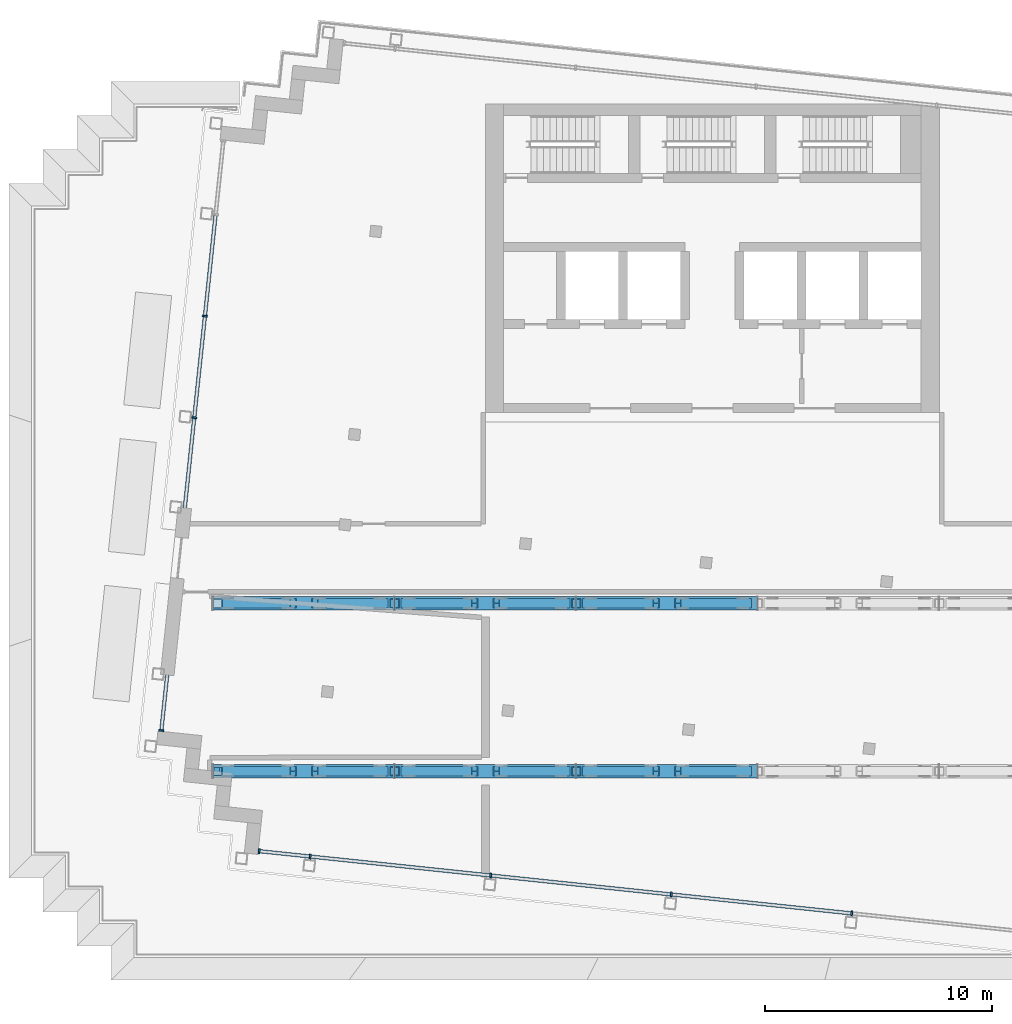
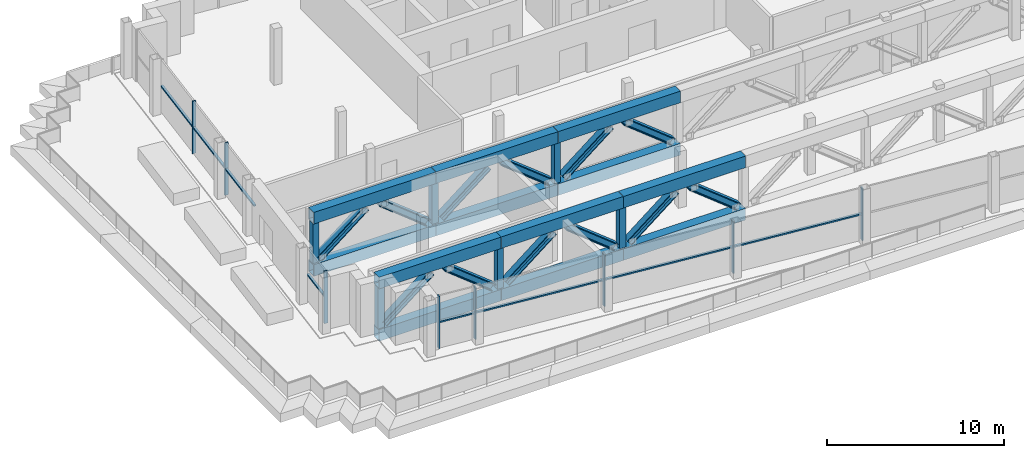
# One storey, part 2 of 18: 46 members, 3 elements without a shape of their own.
"""IFC4 building model written with IfcOpenShell, lengths in metres."""

from ifc_helpers import new_model, si_unit, direction, frame, origin, origin_2d, place, context, subcontext, project, spatial, rectangle, hollow_rectangle, i_section, extrude, material, material_profile, profile_set, type_object, element, aggregate, save


model = new_model("IFC4")

# Units and contexts
model_context = context("Model", 3, precision=1e-05, world=origin(), true_north=direction((0.0, 1.0)))
body_context = subcontext(model_context, "Body", "Model", "MODEL_VIEW")
ifc_project = project(units=[si_unit("LENGTHUNIT", "METRE"), si_unit("AREAUNIT", "SQUARE_METRE"), si_unit("VOLUMEUNIT", "CUBIC_METRE"), si_unit("PLANEANGLEUNIT", "RADIAN"), si_unit("MASSUNIT", "GRAM", prefix="KILO")], contexts=[model_context])

# Site, building, storey
site_placement = place(None, origin())
site = spatial("IfcSite", under=ifc_project, at=site_placement, CompositionType="ELEMENT")
building_placement = place(site_placement, origin())
building = spatial("IfcBuilding", under=site, at=building_placement, Name="Vidyagriha Tower", CompositionType="ELEMENT")
storey_placement = place(building_placement, frame((0.0, 0.0, 249.199951171875)))
storey = spatial("IfcBuildingStorey", under=building, at=storey_placement, Name="L64", CompositionType="ELEMENT", Elevation=249.199951171875)

# Curtain wall, members
ifc_material_1 = material(Name="Aluminium and glass curtain wall", Category="aluminium")
curtain_wall_type = type_object("IfcCurtainWallType", Name="Plant louvre wall", PredefinedType="USERDEFINED", material=ifc_material_1)
curtain_wall_1_placement = place(storey_placement, origin())
curtain_wall_1 = element("IfcCurtainWall", 1, at=curtain_wall_1_placement, inside=storey, type_object=curtain_wall_type, Name="CW7 plant louvre wall", ObjectType="STICK GLAZING", PredefinedType="USERDEFINED")
ifc_material_2 = material(Name="Aluminium black anodised", Category="aluminium")
ifc_material_profile_1 = material_profile(ifc_material_2, rectangle(XDim=0.219970703125, YDim=0.080078125, at=origin_2d()), Name="Mullion 80x220 black aluminium")
ifc_profile_set_1 = profile_set([ifc_material_profile_1], Name="Aluminium black anodised")
member_type_1 = type_object("IfcMemberType", Name="Mullion 80x220 black aluminium", PredefinedType="MULLION", material=ifc_profile_set_1)
member_1_placement = place(storey_placement, frame((-22.36279296875, 10.65673828125, 0.0), z_axis=(0.0, 0.0, 1.0), x_axis=(0.994521979723, -0.104527660683, 0.0)))
member_1 = element("IfcMember", 2, at=member_1_placement, type_object=member_type_1, Name="CW7 mullion 3", PredefinedType="MULLION", context=body_context, shape_type="SweptSolid", body=[
    extrude(rectangle(XDim=0.219970703125, YDim=0.080078125, at=origin_2d()), origin(), (0.0, 0.0, 1.0), 3.6201171875),
])
member_2_placement = place(storey_placement, frame((-22.8330078125, 6.181396484375, 0.0), z_axis=(0.0, 0.0, 1.0), x_axis=(0.994521979723, -0.104527660683, 0.0)))
member_2 = element("IfcMember", 3, at=member_2_placement, type_object=member_type_1, Name="CW7 mullion 4", PredefinedType="MULLION", context=body_context, shape_type="SweptSolid", body=[
    extrude(rectangle(XDim=0.219970703125, YDim=0.080078125, at=origin_2d()), origin(), (0.0, 0.0, 1.0), 3.6201171875),
])

# Curtain wall, member
curtain_wall_2_placement = place(storey_placement, origin())
curtain_wall_2 = element("IfcCurtainWall", 4, at=curtain_wall_2_placement, inside=storey, type_object=curtain_wall_type, Name="CW7 plant louvre wall", ObjectType="STICK GLAZING", PredefinedType="USERDEFINED")
member_3_placement = place(storey_placement, frame((-24.28173828125, -7.602783203125, 0.0), z_axis=(0.0, 0.0, 1.0), x_axis=(0.994523191389, -0.10451613172, 0.0)))
member_3 = element("IfcMember", 5, at=member_3_placement, type_object=member_type_1, Name="CW7 mullion 2", PredefinedType="MULLION", context=body_context, shape_type="SweptSolid", body=[
    extrude(rectangle(XDim=0.219970703125, YDim=0.080078125, at=origin_2d()), origin(), (0.0, 0.0, 1.0), 3.6201171875),
])

# Curtain wall, members
curtain_wall_3_placement = place(storey_placement, origin())
curtain_wall_3 = element("IfcCurtainWall", 6, at=curtain_wall_3_placement, inside=storey, type_object=curtain_wall_type, Name="CW7 plant louvre wall", ObjectType="STICK GLAZING", PredefinedType="USERDEFINED")
member_4_placement = place(storey_placement, frame((-19.97412109375, -12.922119140625, 0.0), z_axis=(0.0, 0.0, 1.0), x_axis=(0.104526868149, 0.994522063021, 0.0)))
member_4 = element("IfcMember", 7, at=member_4_placement, type_object=member_type_1, Name="CW7 mullion 1", PredefinedType="MULLION", context=body_context, shape_type="SweptSolid", body=[
    extrude(rectangle(XDim=0.219970703125, YDim=0.080078125, at=origin_2d()), origin(), (0.0, 0.0, 1.0), 3.6201171875),
])
member_5_placement = place(storey_placement, frame((-17.7265625, -13.158447265625, 0.0), z_axis=(0.0, 0.0, 1.0), x_axis=(0.104526868149, 0.994522063021, 0.0)))
member_5 = element("IfcMember", 8, at=member_5_placement, type_object=member_type_1, Name="CW7 mullion 2", PredefinedType="MULLION", context=body_context, shape_type="SweptSolid", body=[
    extrude(rectangle(XDim=0.219970703125, YDim=0.080078125, at=origin_2d()), origin(), (0.0, 0.0, 1.0), 3.6201171875),
])
member_6_placement = place(storey_placement, frame((-9.7705078125, -13.99462890625, 0.0), z_axis=(0.0, 0.0, 1.0), x_axis=(0.104526868149, 0.994522063021, 0.0)))
member_6 = element("IfcMember", 9, at=member_6_placement, type_object=member_type_1, Name="CW7 mullion 3", PredefinedType="MULLION", context=body_context, shape_type="SweptSolid", body=[
    extrude(rectangle(XDim=0.219970703125, YDim=0.080078125, at=origin_2d()), origin(), (0.0, 0.0, 1.0), 3.6201171875),
])
member_7_placement = place(storey_placement, frame((-1.814208984375, -14.830810546875, 0.0), z_axis=(0.0, 0.0, 1.0), x_axis=(0.104526868149, 0.994522063021, 0.0)))
member_7 = element("IfcMember", 10, at=member_7_placement, type_object=member_type_1, Name="CW7 mullion 4", PredefinedType="MULLION", context=body_context, shape_type="SweptSolid", body=[
    extrude(rectangle(XDim=0.219970703125, YDim=0.080078125, at=origin_2d()), origin(), (0.0, 0.0, 1.0), 3.6201171875),
])
member_8_placement = place(storey_placement, frame((6.141845703125, -15.6669921875, 0.0), z_axis=(0.0, 0.0, 1.0), x_axis=(0.104526868149, 0.994522063021, 0.0)))
member_8 = element("IfcMember", 11, at=member_8_placement, type_object=member_type_1, Name="CW7 mullion 5", PredefinedType="MULLION", context=body_context, shape_type="SweptSolid", body=[
    extrude(rectangle(XDim=0.219970703125, YDim=0.080078125, at=origin_2d()), origin(), (0.0, 0.0, 1.0), 3.6201171875),
])

# Members
ifc_material_3 = material(Name="Steel ASTM A572 Grade 50", Category="steel")
ifc_material_profile_2 = material_profile(ifc_material_3, hollow_rectangle(XDim=0.60009765625, YDim=0.800048828125, WallThickness=0.034912109375, at=origin_2d()), Name="BOX 800x600x35")
ifc_profile_set_2 = profile_set([ifc_material_profile_2], Name="Steel ASTM A572 Grade 50")
member_type_2 = type_object("IfcMemberType", Name="Transfer truss chord BOX 800x600x35", PredefinedType="CHORD", material=ifc_profile_set_2)
for number, where, z_axis, x_axis, name in (
    (12, (-22.0, -9.39990234375, -0.39990234375), (1.0, 0.0, 0.0), (0.0, 1.0, 0.0), "st-truss-L64-T00-B00"),
    (13, (-22.0, -9.39990234375, 3.219970703125), (1.0, 0.0, 0.0), (0.0, 1.0, 0.0), "st-truss-L64-T00-T00"),
    (14, (-14.0, -9.39990234375, -0.39990234375), (1.0, 0.0, 0.0), (0.0, 1.0, 0.0), "st-truss-L64-T00-B01"),
    (15, (-14.0, -9.39990234375, 3.219970703125), (1.0, 0.0, 0.0), (0.0, 1.0, 0.0), "st-truss-L64-T00-T01"),
    (16, (-6.0, -9.39990234375, -0.39990234375), (1.0, 0.0, 0.0), (0.0, 1.0, 0.0), "st-truss-L64-T00-B02"),
    (17, (-6.0, -9.39990234375, 3.219970703125), (1.0, 0.0, 0.0), (0.0, 1.0, 0.0), "st-truss-L64-T00-T02"),
    (18, (-22.0, -2.0, -0.39990234375), (1.0, 0.0, 0.0), (0.0, 1.0, 0.0), "st-truss-L64-T01-B00"),
    (19, (-22.0, -2.0, 3.219970703125), (1.0, 0.0, 0.0), (0.0, 1.0, 0.0), "st-truss-L64-T01-T00"),
    (20, (-14.0, -2.0, -0.39990234375), (1.0, 0.0, 0.0), (0.0, 1.0, 0.0), "st-truss-L64-T01-B01"),
    (21, (-14.0, -2.0, 3.219970703125), (1.0, 0.0, 0.0), (0.0, 1.0, 0.0), "st-truss-L64-T01-T01"),
    (22, (-6.0, -2.0, -0.39990234375), (1.0, 0.0, 0.0), (0.0, 1.0, 0.0), "st-truss-L64-T01-B02"),
    (23, (-6.0, -2.0, 3.219970703125), (1.0, 0.0, 0.0), (0.0, 1.0, 0.0), "st-truss-L64-T01-T02"),
):
    element("IfcMember", number, at=place(storey_placement, frame(where, z_axis=z_axis, x_axis=x_axis)), inside=storey, type_object=member_type_2, Name=name, PredefinedType="CHORD", context=body_context, shape_type="SweptSolid", body=[
        extrude(hollow_rectangle(XDim=0.60009765625, YDim=0.800048828125, WallThickness=0.034912109375, at=origin_2d()), origin(), (0.0, 0.0, 1.0), 7.98046875),
    ])
ifc_material_4 = material(Name="Steel ASTM A913 Grade 65", Category="steel")
ifc_material_profile_3 = material_profile(ifc_material_4, i_section(OverallWidth=0.421630859375, OverallDepth=0.46484375, WebThickness=0.030029296875, FlangeThickness=0.052978515625, at=origin_2d()), Name="W14X398")
ifc_profile_set_3 = profile_set([ifc_material_profile_3], Name="Steel ASTM A913 Grade 65")
member_type_3 = type_object("IfcMemberType", Name="Transfer truss diagonal W14X398", PredefinedType="BRACE", material=ifc_profile_set_3)
for number, where, z_axis, x_axis, name in (
    (24, (-21.57080078125, -9.39990234375, 0.18212890625), (0.783011647568, 0.0, 0.622007041578), (0.0, 1.0, 0.0), "st-truss-L64-T00-D000"),
    (25, (-17.52099609375, -9.39990234375, 2.63818359375), (0.783011647568, 0.0, -0.622007041578), (0.0, 1.0, 0.0), "st-truss-L64-T00-D001"),
    (26, (-13.57080078125, -9.39990234375, 0.18212890625), (0.783011647568, 0.0, 0.622007041578), (0.0, 1.0, 0.0), "st-truss-L64-T00-D010"),
    (27, (-9.52099609375, -9.39990234375, 2.63818359375), (0.783011647568, 0.0, -0.622007041578), (0.0, 1.0, 0.0), "st-truss-L64-T00-D011"),
    (28, (-5.57080078125, -9.39990234375, 0.18212890625), (0.783011647568, 0.0, 0.622007041578), (0.0, 1.0, 0.0), "st-truss-L64-T00-D020"),
    (29, (-1.52099609375, -9.39990234375, 2.63818359375), (0.783011647568, 0.0, -0.622007041578), (0.0, 1.0, 0.0), "st-truss-L64-T00-D021"),
    (30, (-21.57080078125, -2.0, 0.18212890625), (0.783011647568, 0.0, 0.622007041578), (0.0, 1.0, 0.0), "st-truss-L64-T01-D000"),
    (31, (-17.52099609375, -2.0, 2.63818359375), (0.783011647568, 0.0, -0.622007041578), (0.0, 1.0, 0.0), "st-truss-L64-T01-D001"),
    (32, (-13.57080078125, -2.0, 0.18212890625), (0.783011647568, 0.0, 0.622007041578), (0.0, 1.0, 0.0), "st-truss-L64-T01-D010"),
    (33, (-9.52099609375, -2.0, 2.63818359375), (0.783011647568, 0.0, -0.622007041578), (0.0, 1.0, 0.0), "st-truss-L64-T01-D011"),
    (34, (-5.57080078125, -2.0, 0.18212890625), (0.783011647568, 0.0, 0.622007041578), (0.0, 1.0, 0.0), "st-truss-L64-T01-D020"),
    (35, (-1.52099609375, -2.0, 2.63818359375), (0.783011647568, 0.0, -0.622007041578), (0.0, 1.0, 0.0), "st-truss-L64-T01-D021"),
):
    element("IfcMember", number, at=place(storey_placement, frame(where, z_axis=z_axis, x_axis=x_axis)), inside=storey, type_object=member_type_3, Name=name, PredefinedType="BRACE", context=body_context, shape_type="SweptSolid", body=[
        extrude(i_section(OverallWidth=0.421630859375, OverallDepth=0.46484375, WebThickness=0.030029296875, FlangeThickness=0.052978515625, at=origin_2d()), origin(), (0.0, 0.0, 1.0), 3.948486328125),
    ])
ifc_material_5 = material(Name="Steel ASTM A500 Grade C", Category="steel")
ifc_material_profile_4 = material_profile(ifc_material_5, hollow_rectangle(XDim=0.406494140625, YDim=0.406494140625, WallThickness=0.017822265625, at=origin_2d()), Name="HSS16X16X3/4")
ifc_profile_set_4 = profile_set([ifc_material_profile_4], Name="Steel ASTM A500 Grade C")
member_type_4 = type_object("IfcMemberType", Name="Transfer truss post HSS16X16X3/4", PredefinedType="POST", material=ifc_profile_set_4)
for number, where, name in (
    (36, (-21.796875, -9.39990234375, 0.0), "st-truss-L64-T00-P00"),
    (37, (-14.0, -9.39990234375, 0.0), "st-truss-L64-T00-P01"),
    (38, (-6.0, -9.39990234375, 0.0), "st-truss-L64-T00-P02"),
):
    element("IfcMember", number, at=place(storey_placement, frame(where)), inside=storey, type_object=member_type_4, Name=name, PredefinedType="POST", context=body_context, shape_type="SweptSolid", body=[
        extrude(hollow_rectangle(XDim=0.406494140625, YDim=0.406494140625, WallThickness=0.017822265625, at=origin_2d()), origin(), (0.0, 0.0, 1.0), 2.820068359375),
    ])
member_9_placement = place(storey_placement, frame((-21.796875, -2.0, 0.01953125)))
element("IfcMember", 39, at=member_9_placement, inside=storey, type_object=member_type_4, Name="st-truss-L64-T01-P00", PredefinedType="POST", context=body_context, shape_type="SweptSolid", body=[
    extrude(hollow_rectangle(XDim=0.406494140625, YDim=0.406494140625, WallThickness=0.017822265625, at=origin_2d()), origin(), (0.0, 0.0, 1.0), 2.781005859375),
])
for number, where, name in (
    (40, (-14.0, -2.0, 0.0), "st-truss-L64-T01-P01"),
    (41, (-6.0, -2.0, 0.0), "st-truss-L64-T01-P02"),
):
    element("IfcMember", number, at=place(storey_placement, frame(where)), inside=storey, type_object=member_type_4, Name=name, PredefinedType="POST", context=body_context, shape_type="SweptSolid", body=[
        extrude(hollow_rectangle(XDim=0.406494140625, YDim=0.406494140625, WallThickness=0.017822265625, at=origin_2d()), origin(), (0.0, 0.0, 1.0), 2.820068359375),
    ])

# Member
ifc_material_6 = material(Name="Aluminium black anodised", Category="aluminium")
ifc_material_profile_5 = material_profile(ifc_material_6, rectangle(XDim=0.159912109375, YDim=0.10009765625, at=origin_2d()), Name="Transom 100x160 black aluminium")
ifc_profile_set_5 = profile_set([ifc_material_profile_5], Name="Aluminium black anodised")
member_type_5 = type_object("IfcMemberType", Name="Transom 100x160 black aluminium", PredefinedType="USERDEFINED", material=ifc_profile_set_5)
member_10_placement = place(storey_placement, frame((-21.896484375, 15.09228515625, 1.81005859375), z_axis=(-0.104561146579, -0.994518459671, 0.0), x_axis=(0.994518459671, -0.104561146579, 0.0)))
member_10 = element("IfcMember", 42, at=member_10_placement, type_object=member_type_5, Name="CW7 transom 2.1", ObjectType="TRANSOM", PredefinedType="USERDEFINED", context=body_context, shape_type="SweptSolid", body=[
    extrude(rectangle(XDim=0.159912109375, YDim=0.10009765625, at=origin_2d()), origin(), (0.0, 0.0, 1.0), 4.419921875),
])

member_11_placement = place(storey_placement, frame((-22.366943359375, 10.616943359375, 1.81005859375), z_axis=(-0.104506514317, -0.994524202051, 0.0), x_axis=(0.994524202051, -0.104506514317, 0.0)))
member_11 = element("IfcMember", 43, at=member_11_placement, type_object=member_type_5, Name="CW7 transom 3.1", ObjectType="TRANSOM", PredefinedType="USERDEFINED", context=body_context, shape_type="SweptSolid", body=[
    extrude(rectangle(XDim=0.159912109375, YDim=0.10009765625, at=origin_2d()), origin(), (0.0, 0.0, 1.0), 4.419921875),
])

member_12_placement = place(storey_placement, frame((-22.837158203125, 6.1416015625, 1.81005859375), z_axis=(-0.104562829797, -0.9945182827, 0.0), x_axis=(0.9945182827, -0.104562829797, 0.0)))
member_12 = element("IfcMember", 44, at=member_12_placement, type_object=member_type_5, Name="CW7 transom 4.1", ObjectType="TRANSOM", PredefinedType="USERDEFINED", context=body_context, shape_type="SweptSolid", body=[
    extrude(rectangle(XDim=0.159912109375, YDim=0.10009765625, at=origin_2d()), origin(), (0.0, 0.0, 1.0), 3.9599609375),
])

aggregate(curtain_wall_1, [member_1, member_2, member_10, member_11, member_12])

member_13_placement = place(storey_placement, frame((-24.024658203125, -5.15625, 1.81005859375), z_axis=(-0.104516733692, -0.994523128126, 0.0), x_axis=(0.994523128126, -0.104516733692, 0.0)))
member_13 = element("IfcMember", 45, at=member_13_placement, type_object=member_type_5, Name="CW7 transom 1.1", ObjectType="TRANSOM", PredefinedType="USERDEFINED", context=body_context, shape_type="SweptSolid", body=[
    extrude(rectangle(XDim=0.159912109375, YDim=0.10009765625, at=origin_2d()), origin(), (0.0, 0.0, 1.0), 2.419921875),
])

aggregate(curtain_wall_2, [member_3, member_13])

member_14_placement = place(storey_placement, frame((-19.934326171875, -12.92626953125, 1.81005859375), z_axis=(0.994514040956, -0.104603166019, 0.0), x_axis=(0.104603166019, 0.994514040956, 0.0)))
member_14 = element("IfcMember", 46, at=member_14_placement, type_object=member_type_5, Name="CW7 transom 1.1", ObjectType="TRANSOM", PredefinedType="USERDEFINED", context=body_context, shape_type="SweptSolid", body=[
    extrude(rectangle(XDim=0.159912109375, YDim=0.10009765625, at=origin_2d()), origin(), (0.0, 0.0, 1.0), 2.179931640625),
])

member_15_placement = place(storey_placement, frame((-17.686767578125, -13.16259765625, 1.81005859375), z_axis=(0.99452148786, -0.10453234038, 0.0), x_axis=(0.10453234038, 0.99452148786, 0.0)))
member_15 = element("IfcMember", 47, at=member_15_placement, type_object=member_type_5, Name="CW7 transom 2.1", ObjectType="TRANSOM", PredefinedType="USERDEFINED", context=body_context, shape_type="SweptSolid", body=[
    extrude(rectangle(XDim=0.159912109375, YDim=0.10009765625, at=origin_2d()), origin(), (0.0, 0.0, 1.0), 7.919921875),
])

member_16_placement = place(storey_placement, frame((-9.730712890625, -13.998779296875, 1.81005859375), z_axis=(0.994521824685, -0.104529135775, 0.0), x_axis=(0.104529135775, 0.994521824685, 0.0)))
member_16 = element("IfcMember", 48, at=member_16_placement, type_object=member_type_5, Name="CW7 transom 3.1", ObjectType="TRANSOM", PredefinedType="USERDEFINED", context=body_context, shape_type="SweptSolid", body=[
    extrude(rectangle(XDim=0.159912109375, YDim=0.10009765625, at=origin_2d()), origin(), (0.0, 0.0, 1.0), 7.920166015625),
])

member_17_placement = place(storey_placement, frame((-1.7744140625, -14.8349609375, 1.81005859375), z_axis=(0.99452148786, -0.10453234038, 0.0), x_axis=(0.10453234038, 0.99452148786, 0.0)))
member_17 = element("IfcMember", 49, at=member_17_placement, type_object=member_type_5, Name="CW7 transom 4.1", ObjectType="TRANSOM", PredefinedType="USERDEFINED", context=body_context, shape_type="SweptSolid", body=[
    extrude(rectangle(XDim=0.159912109375, YDim=0.10009765625, at=origin_2d()), origin(), (0.0, 0.0, 1.0), 7.919921875),
])

aggregate(curtain_wall_3, [member_4, member_5, member_6, member_7, member_8, member_14, member_15, member_16, member_17])

save(model, "model.ifc")
